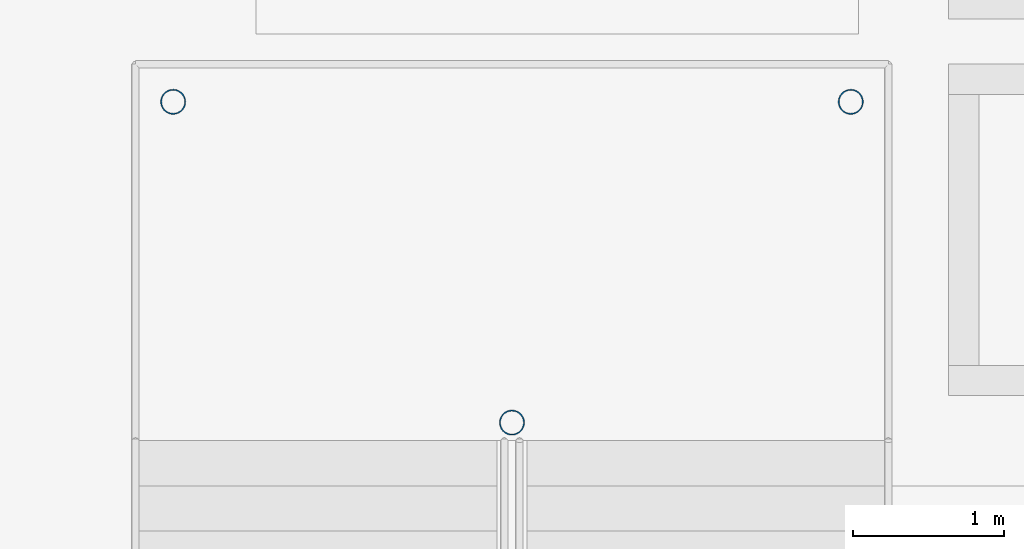
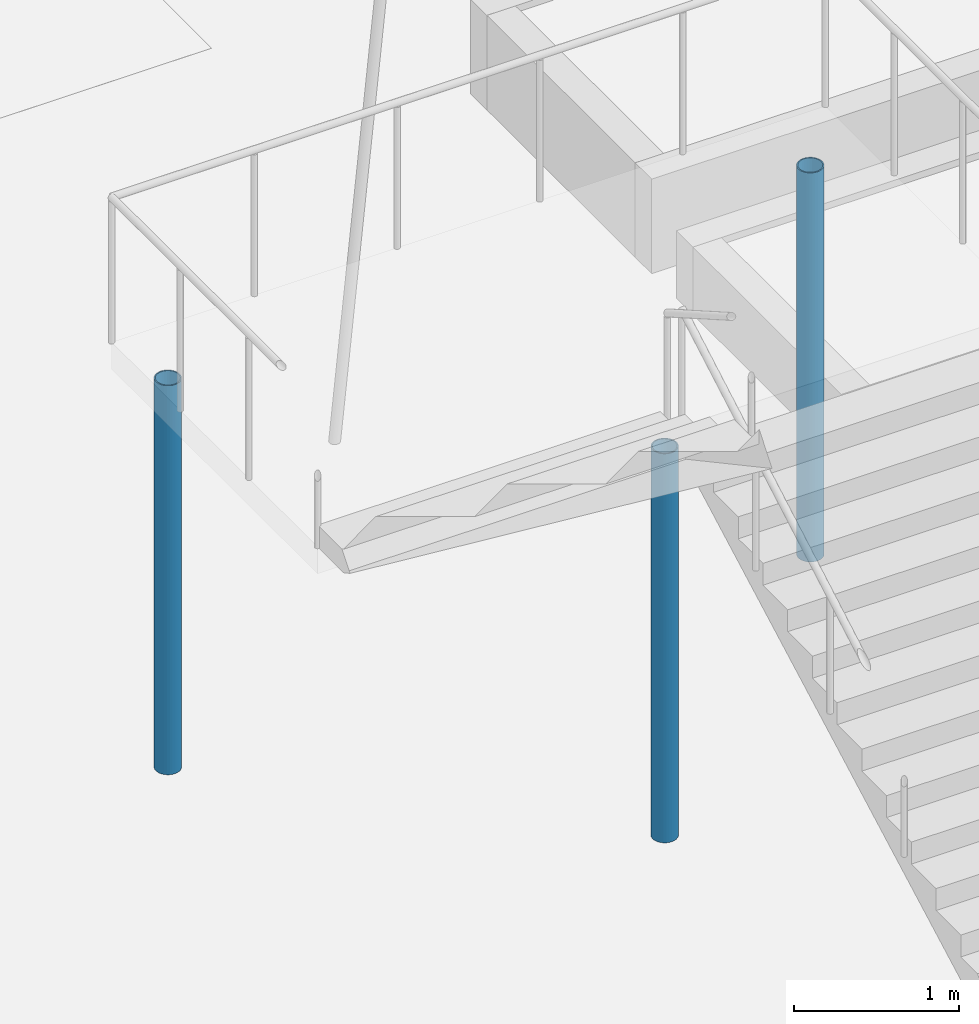
# One storey, part 15 of 108: 3 columns.
"""IFC4 building model written with IfcOpenShell, lengths in metres."""

import ifcopenshell
import ifcopenshell.guid

model = None  # the IFC model being written
_history = None  # IfcOwnerHistory: only IFC2X3 demands one
_inside = {}  # id of a spatial element -> (the spatial element, [elements in it])
_under = {}  # id of a project, library or spatial element -> (it, [spatial elements below it])
_declared = {}  # id of a project -> (the project, [libraries it declares])
_typed = {}  # id of a type object -> (the type object, [elements of that type])
_made_of = {}  # id of a material, layer set ... -> (it, [elements and type objects made of it])


def new_model(schema):
    """Start an empty IFC model of exactly this schema.

    Asked for "IFC4X3", IfcOpenShell would pick the latest addendum, in which some entities
    have other attributes; the version numbers below select the first issue.
    IFC2X3 requires an IfcOwnerHistory on every rooted entity: one is made here for all.
    """
    global model, _history
    if schema == "IFC4X3":
        model = ifcopenshell.file(schema_version=(4, 3, 0, 0))
    else:
        model = ifcopenshell.file(schema=schema)
    _inside.clear()
    _under.clear()
    _declared.clear()
    _typed.clear()
    _made_of.clear()
    _history = None
    if model.schema == "IFC2X3":
        org = make("IfcOrganization", Name="unknown")
        user = make(
            "IfcPersonAndOrganization",
            ThePerson=make("IfcPerson", FamilyName="unknown"),
            TheOrganization=org,
        )
        app = make(
            "IfcApplication",
            ApplicationDeveloper=org,
            Version="unknown",
            ApplicationFullName="unknown",
            ApplicationIdentifier="unknown",
        )
        _history = make(
            "IfcOwnerHistory",
            OwningUser=user,
            OwningApplication=app,
            ChangeAction="ADDED",
            CreationDate=0,
        )
    return model


def make(cls, **values):
    """One entity of the class cls with the attributes given. An attribute that is None is left unset."""
    return model.create_entity(
        cls, **{name: value for name, value in values.items() if value is not None}
    )


def rooted(cls, **values):
    """An entity with a GlobalId (a new one), such as an element, a storey or a relation."""
    return make(cls, GlobalId=ifcopenshell.guid.new(), OwnerHistory=_history, **values)


def si_unit(unit_type, name, prefix=None):
    """IfcSIUnit, for example si_unit("LENGTHUNIT", "METRE", prefix="MILLI")."""
    return make("IfcSIUnit", UnitType=unit_type, Prefix=prefix, Name=name)


def assignment(units):
    """IfcUnitAssignment: the units of a project."""
    return None if units is None else make("IfcUnitAssignment", Units=units)


def point(xyz):
    """IfcCartesianPoint."""
    return None if xyz is None else make("IfcCartesianPoint", Coordinates=xyz)


def direction(xyz):
    """IfcDirection."""
    return None if xyz is None else make("IfcDirection", DirectionRatios=xyz)


def frame(location, z_axis=None, x_axis=None):
    """IfcAxis2Placement3D, a coordinate frame: its origin and axes. An axis left out is left unset."""
    return make(
        "IfcAxis2Placement3D",
        Location=point(location),
        Axis=direction(z_axis),
        RefDirection=direction(x_axis),
    )


def frame_2d(location, x_axis=None):
    """IfcAxis2Placement2D, a coordinate frame in the plane: its origin and x axis."""
    return make(
        "IfcAxis2Placement2D", Location=point(location), RefDirection=direction(x_axis)
    )


def origin():
    """The frame at (0, 0, 0) with its axes left unset."""
    return frame((0.0, 0.0, 0.0))


def origin_2d():
    """The frame at (0, 0) in the plane with its x axis left unset."""
    return frame_2d((0.0, 0.0))


def place(relative_to, where):
    """IfcLocalPlacement: puts the frame where relative to a parent placement (None: the world)."""
    return make(
        "IfcLocalPlacement", PlacementRelTo=relative_to, RelativePlacement=where
    )


def context(
    kind, dimensions, precision=None, world=None, true_north=None, identifier=None
):
    """IfcGeometricRepresentationContext, for example the 3D "Model" context."""
    return make(
        "IfcGeometricRepresentationContext",
        ContextIdentifier=identifier,
        ContextType=kind,
        CoordinateSpaceDimension=dimensions,
        Precision=precision,
        WorldCoordinateSystem=world,
        TrueNorth=true_north,
    )


def subcontext(parent, identifier, kind, view, scale=None):
    """IfcGeometricRepresentationSubContext, for example "Body" below "Model"."""
    return make(
        "IfcGeometricRepresentationSubContext",
        ContextIdentifier=identifier,
        ContextType=kind,
        ParentContext=parent,
        TargetScale=scale,
        TargetView=view,
    )


def project(units=None, contexts=None):
    """IfcProject with its units and contexts."""
    return rooted(
        "IfcProject",
        Name="project",
        RepresentationContexts=contexts,
        UnitsInContext=assignment(units),
    )


def spatial(cls, under=None, at=None, **own):
    """A site, building, storey or space (cls), placed at a placement, below another one or the project."""
    s = rooted(cls, ObjectPlacement=at, **own)
    if under is not None:
        _under.setdefault(under.id(), (under, []))[1].append(s)
    return s


def profile(cls, at=None, kind="AREA", **sizes):
    """A parametric profile (cls). Its sizes go by their IFC names, for example OverallWidth=200.0."""
    return make(cls, ProfileType=kind, Position=at, **sizes)


def hollow_circle(**sizes):
    """IfcCircleHollowProfileDef."""
    return profile("IfcCircleHollowProfileDef", **sizes)


def extrude(swept, where, along, depth):
    """IfcExtrudedAreaSolid: the profile swept, set in the frame where, extruded along a direction by depth."""
    return make(
        "IfcExtrudedAreaSolid",
        SweptArea=swept,
        Position=where,
        ExtrudedDirection=direction(along),
        Depth=depth,
    )


def shape(context_of_items, identifier, shape_type, items):
    """IfcShapeRepresentation: the items that make up one representation, for example the "Body"."""
    return make(
        "IfcShapeRepresentation",
        ContextOfItems=context_of_items,
        RepresentationIdentifier=identifier,
        RepresentationType=shape_type,
        Items=items,
    )


def material(Name=None, Category=None):
    """IfcMaterial."""
    return make("IfcMaterial", Name=Name, Category=Category)


def material_profile(
    of_material, cross_section, Name=None, Category=None, Priority=None
):
    """IfcMaterialProfile: a cross section and its material."""
    return make(
        "IfcMaterialProfile",
        Name=Name,
        Material=of_material,
        Profile=cross_section,
        Priority=Priority,
        Category=Category,
    )


def profile_set(profiles, Name=None, composite=None):
    """IfcMaterialProfileSet."""
    return make(
        "IfcMaterialProfileSet",
        Name=Name,
        MaterialProfiles=profiles,
        CompositeProfile=composite,
    )


def made_of(thing, what):
    """Note that an element or type object is made of a material, layer set ...; save() writes the relation."""
    if what is not None:
        _made_of.setdefault(what.id(), (what, []))[1].append(thing)
    return thing


def type_object(cls, material=None, **own):
    """A type object (cls), such as IfcWallType, which elements share."""
    return made_of(rooted(cls, **own), material)


def element(
    cls,
    number,
    at=None,
    inside=None,
    cuts=None,
    type_object=None,
    material=None,
    context=None,
    identifier="Body",
    shape_type=None,
    held_by="IfcProductDefinitionShape",
    body=None,
    shapes=None,
    **own,
):
    """One element of the class cls, such as IfcWall. Its Tag is "e" and its number.

    at: its placement. inside: the storey or other place that contains it. cuts: it is an
    opening in that element (IfcRelVoidsElement). A single representation is given by context,
    identifier, shape_type and body (its items); several are given by shapes. held_by: the class
    of the entity that holds the representations. save() writes the other relations.
    """
    e = rooted(cls, Tag="e%d" % number, ObjectPlacement=at, **own)
    if body is not None:
        shapes = [shape(context, identifier, shape_type, body)]
    if shapes is not None:
        e.Representation = make(held_by, Representations=shapes)
    if inside is not None:
        _inside.setdefault(inside.id(), (inside, []))[1].append(e)
    if cuts is not None:
        rooted(
            "IfcRelVoidsElement", RelatingBuildingElement=cuts, RelatedOpeningElement=e
        )
    if type_object is not None:
        _typed.setdefault(type_object.id(), (type_object, []))[1].append(e)
    return made_of(e, material)


def aggregate(whole, parts):
    """IfcRelAggregates: a whole, such as a stair, and the parts it consists of."""
    return rooted("IfcRelAggregates", RelatingObject=whole, RelatedObjects=parts)


def save(model, path):
    """Write the relations noted so far, then the file.

    IfcRelAggregates (storeys below a building ...), IfcRelContainedInSpatialStructure (elements
    in a storey), IfcRelDefinesByType, IfcRelAssociatesMaterial and IfcRelDeclares: one each for
    every whole, place, type object, material and project.
    """
    for whole, parts in _under.values():
        aggregate(whole, parts)
    for where, things in _inside.values():
        rooted(
            "IfcRelContainedInSpatialStructure",
            RelatedElements=things,
            RelatingStructure=where,
        )
    for kind, things in _typed.values():
        rooted("IfcRelDefinesByType", RelatedObjects=things, RelatingType=kind)
    for what, things in _made_of.values():
        rooted("IfcRelAssociatesMaterial", RelatedObjects=things, RelatingMaterial=what)
    for by, libraries in _declared.values():
        rooted("IfcRelDeclares", RelatingContext=by, RelatedDefinitions=libraries)
    model.write(path)


model = new_model("IFC4")

# Units and contexts
model_context = context("Model", 3, precision=1e-05, world=origin(), true_north=direction((0.0, 1.0)))
body_context = subcontext(model_context, "Body", "Model", "MODEL_VIEW")
ifc_project = project(units=[si_unit("LENGTHUNIT", "METRE"), si_unit("AREAUNIT", "SQUARE_METRE"), si_unit("VOLUMEUNIT", "CUBIC_METRE"), si_unit("PLANEANGLEUNIT", "RADIAN"), si_unit("MASSUNIT", "GRAM", prefix="KILO")], contexts=[model_context])

# Site, building, storey
site_placement = place(None, origin())
site = spatial("IfcSite", under=ifc_project, at=site_placement, CompositionType="ELEMENT")
building_placement = place(site_placement, origin())
building = spatial("IfcBuilding", under=site, at=building_placement, Name="Cresset Court Congress Hotel", CompositionType="ELEMENT")
storey_placement = place(building_placement, origin())
storey = spatial("IfcBuildingStorey", under=building, at=storey_placement, Name="L00", CompositionType="ELEMENT", Elevation=0.0)

# Columns
ifc_material = material(Name="Structural steel Q355B", Category="steel")
ifc_material_profile = material_profile(ifc_material, hollow_circle(Radius=0.083984375, WallThickness=0.008056640625, at=origin_2d()), Name="CHS168x8")
ifc_profile_set = profile_set([ifc_material_profile], Name="Structural steel Q355B")
column_type = type_object("IfcColumnType", Name="Canopy post CHS168x8", PredefinedType="COLUMN", material=ifc_profile_set)
for number, where, z_axis, x_axis, name in (
    (1, (48.5, 47.219970703125, 0.0), (0.0, 0.0, 1.0), (1.0, 0.0, 0.0), "Stair post D023"),
    (2, (46.25, 49.35009765625, 0.0), (0.0, 0.0, 1.0), (1.0, 0.0, 0.0), "Stair post D021"),
    (3, (50.75, 49.35009765625, 0.0), (0.0, 0.0, 1.0), (1.0, 0.0, 0.0), "Stair post D022"),
):
    element("IfcColumn", number, at=place(storey_placement, frame(where, z_axis=z_axis, x_axis=x_axis)), inside=storey, type_object=column_type, Name=name, PredefinedType="COLUMN", context=body_context, shape_type="SweptSolid", body=[
        extrude(hollow_circle(Radius=0.083984375, WallThickness=0.008056640625, at=origin_2d()), origin(), (0.0, 0.0, 1.0), 2.881103515625),
    ])

save(model, "model.ifc")
